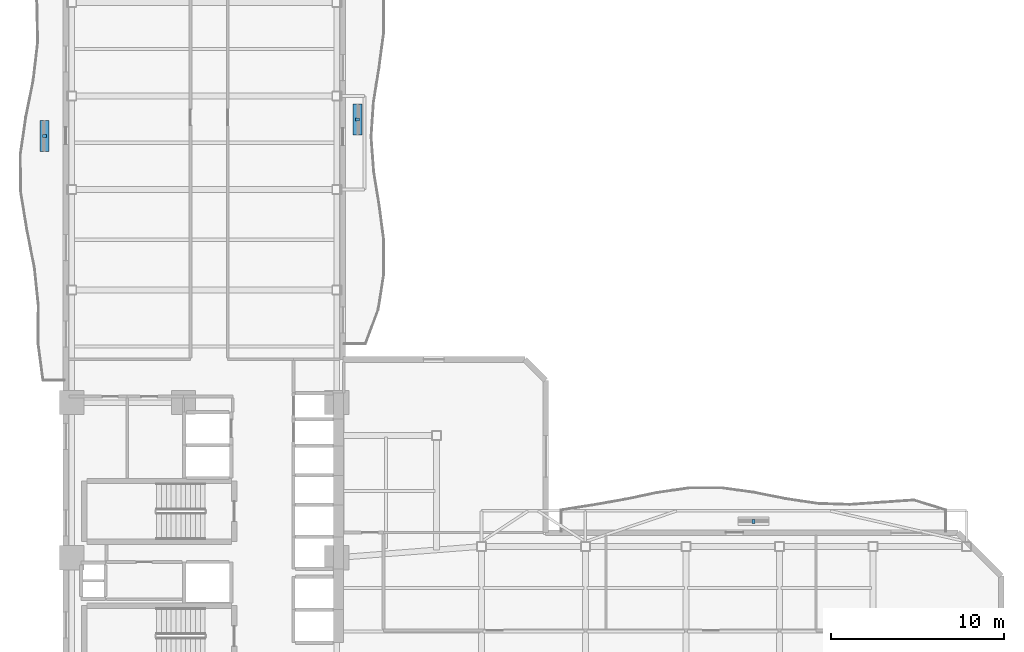
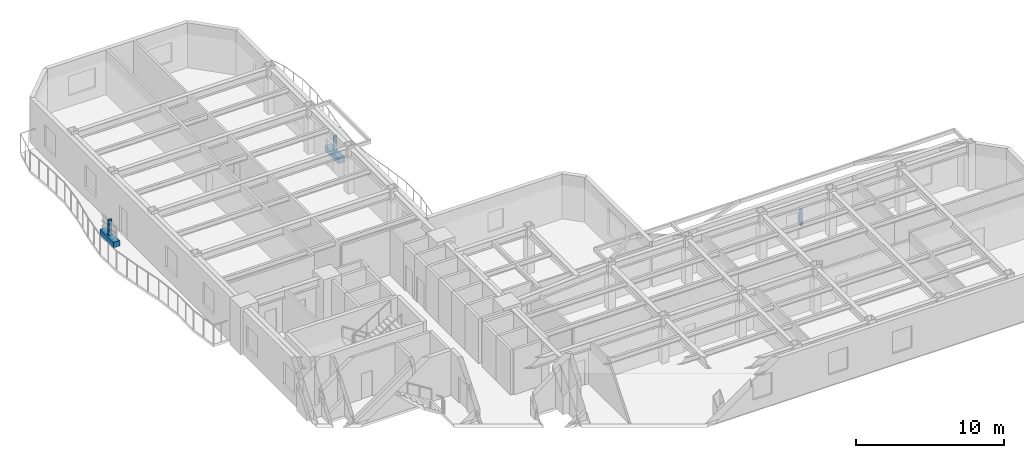
# One storey, part 7 of 10: 5 discrete accessories.
"""IFC4 building model written with IfcOpenShell, lengths in metres."""

from ifc_helpers import new_model, si_unit, direction, frame, origin, origin_2d, place, context, subcontext, project, spatial, rectangle, extrude, material, type_object, element, save


model = new_model("IFC4")

# Units and contexts
model_context = context("Model", 3, precision=1e-05, world=origin(), true_north=direction((0.0, 1.0)))
body_context = subcontext(model_context, "Body", "Model", "MODEL_VIEW")
ifc_project = project(units=[si_unit("LENGTHUNIT", "METRE"), si_unit("AREAUNIT", "SQUARE_METRE"), si_unit("VOLUMEUNIT", "CUBIC_METRE"), si_unit("PLANEANGLEUNIT", "RADIAN"), si_unit("MASSUNIT", "GRAM", prefix="KILO")], contexts=[model_context])

# Site, building, storey
site_placement = place(None, origin())
site = spatial("IfcSite", under=ifc_project, at=site_placement, CompositionType="ELEMENT")
building_placement = place(site_placement, origin())
building = spatial("IfcBuilding", under=site, at=building_placement, Name="Mawjaban Terraces University", CompositionType="ELEMENT")
storey_placement = place(building_placement, frame((0.0, 0.0, 73.89990234375)))
storey = spatial("IfcBuildingStorey", under=building, at=storey_placement, Name="L17", CompositionType="ELEMENT", Elevation=73.89990234375)

# Discrete accessories
ifc_material_1 = material(Name="Stainless steel 316L", Category="steel")
discrete_accessory_type_1 = type_object("IfcDiscreteAccessoryType", Name="FacadeScreenBracket_Steel", PredefinedType="BRACKET", material=ifc_material_1)
for number, where, z_axis, x_axis, name in (
    (1, (20.779052734375, 38.883056640625, 0.419921875), (0.0, 0.0, 1.0), (0.0, 1.0, 0.0), "L17 Balcony Screen Support Bracket west"),
    (2, (61.699951171875, 16.64501953125, 0.419921875), (0.0, 0.0, 1.0), (1.0, 0.0, 0.0), "L17 Balcony Screen Support Bracket inner_north"),
    (3, (38.847900390625, 39.841064453125, 0.419921875), (0.0, 0.0, 1.0), (0.0, 1.0, 0.0), "L17 Balcony Screen Support Bracket inner_east"),
):
    element("IfcDiscreteAccessory", number, at=place(storey_placement, frame(where, z_axis=z_axis, x_axis=x_axis)), inside=storey, type_object=discrete_accessory_type_1, Name=name, PredefinedType="BRACKET", context=body_context, shape_type="SweptSolid", body=[
        extrude(rectangle(XDim=0.159912109375, YDim=0.239990234375, at=origin_2d()), origin(), (0.0, 0.0, 1.0), 1.300048828125),
    ])
ifc_material_2 = material(Name="Precast architectural terracotta planter with engineered planting soil", Category="masonry")
discrete_accessory_type_2 = type_object("IfcDiscreteAccessoryType", Name="IrrigatedPlanterTrough_450", PredefinedType="USERDEFINED", material=ifc_material_2)
for number, where, z_axis, x_axis, name in (
    (4, (20.779052734375, 38.883056640625, -0.0048828125), (0.0, 0.0, 1.0), (0.0, 1.0, 0.0), "L17 Balcony Irrigated Planter west"),
    (5, (38.847900390625, 39.841064453125, -0.0048828125), (0.0, 0.0, 1.0), (0.0, 1.0, 0.0), "L17 Balcony Irrigated Planter inner_east"),
):
    element("IfcDiscreteAccessory", number, at=place(storey_placement, frame(where, z_axis=z_axis, x_axis=x_axis)), inside=storey, type_object=discrete_accessory_type_2, Name=name, ObjectType="PLANTER", PredefinedType="USERDEFINED", context=body_context, shape_type="SweptSolid", body=[
        extrude(rectangle(XDim=1.800048828125, YDim=0.5, at=origin_2d()), origin(), (0.0, 0.0, 1.0), 0.449951171875),
    ])

save(model, "model.ifc")
